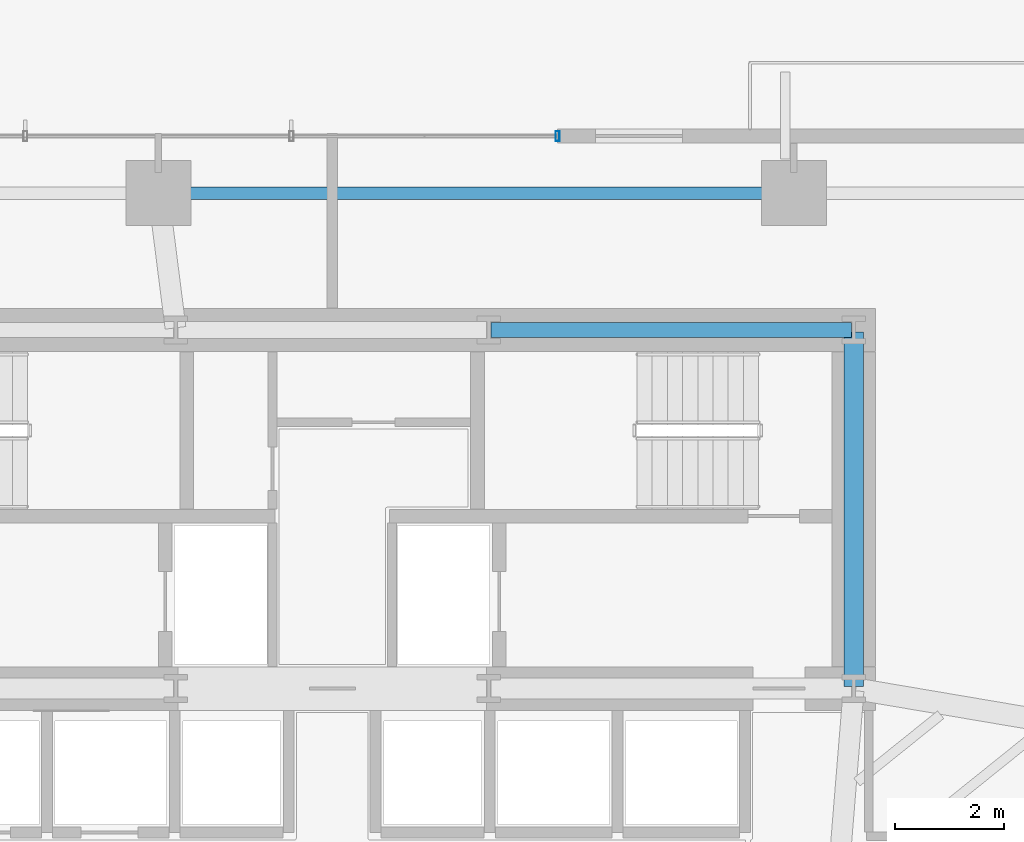
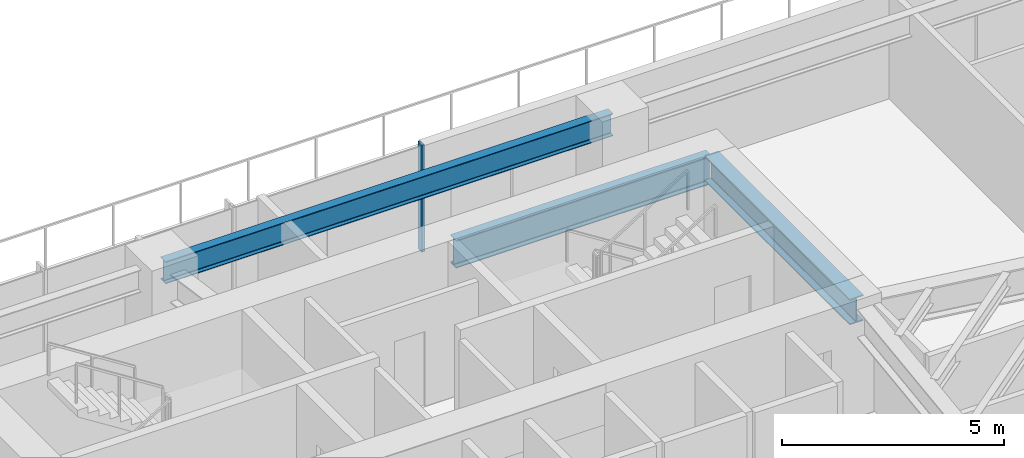
# One storey, part 15 of 26: 3 beams, 1 member, 1 element without a shape of its own.
"""IFC4 building model written with IfcOpenShell, lengths in metres."""

from ifc_helpers import new_model, si_unit, direction, frame, origin, origin_2d, place, context, subcontext, project, spatial, hollow_rectangle, i_section, extrude, source, transform, mapped, material, material_profile, profile_set, type_object, type_shapes, element, aggregate, save


model = new_model("IFC4")

# Units and contexts
model_context = context("Model", 3, precision=1e-05, world=origin(), true_north=direction((0.0, 1.0)))
body_context = subcontext(model_context, "Body", "Model", "MODEL_VIEW")
ifc_project = project(units=[si_unit("LENGTHUNIT", "METRE"), si_unit("AREAUNIT", "SQUARE_METRE"), si_unit("VOLUMEUNIT", "CUBIC_METRE"), si_unit("PLANEANGLEUNIT", "RADIAN"), si_unit("MASSUNIT", "GRAM", prefix="KILO")], contexts=[model_context])

# Site, building, storey
site_placement = place(None, origin())
site = spatial("IfcSite", under=ifc_project, at=site_placement, CompositionType="ELEMENT")
building_placement = place(site_placement, origin())
building = spatial("IfcBuilding", under=site, at=building_placement, Name="Astriad Promenade Condominiums", CompositionType="ELEMENT")
storey_placement = place(building_placement, frame((0.0, 0.0, 23.0)))
storey = spatial("IfcBuildingStorey", under=building, at=storey_placement, Name="L05", CompositionType="ELEMENT", Elevation=23.0)

# Beams
ifc_material_1 = material(Name="Steel ASTM A992 Grade 50", Category="steel")
ifc_material_profile_1 = material_profile(ifc_material_1, i_section(OverallWidth=0.267822265625, OverallDepth=0.76953125, WebThickness=0.015625, FlangeThickness=0.025390625, FilletRadius=0.021484375, at=origin_2d()), Name="W30X132")
ifc_profile_set_1 = profile_set([ifc_material_profile_1], Name="Steel ASTM A992 Grade 50")
beam_type_1 = type_object("IfcBeamType", Name="STEEL FLOOR GIRDER W30X132", PredefinedType="BEAM", material=ifc_profile_set_1)
shared_shape_1 = source(origin(), body_context, "Body", "SweptSolid", [
    extrude(i_section(OverallWidth=0.267822265625, OverallDepth=0.76953125, WebThickness=0.015625, FlangeThickness=0.025390625, FilletRadius=0.021484375, at=origin_2d()), origin(), (0.0, 0.0, 1.0), 6.64013671875),
])
type_shapes(beam_type_1, [shared_shape_1])
beam_1_placement = place(storey_placement, frame((38.919921875, 24.0, 2.55517578125), z_axis=(1.0, 0.0, 0.0), x_axis=(0.0, 1.0, 0.0)))
element("IfcBeam", 1, at=beam_1_placement, inside=storey, type_object=beam_type_1, Name="Core Ring Beam CG-N3-L05", PredefinedType="BEAM", context=body_context, shape_type="MappedRepresentation", body=[
    mapped(shared_shape_1, transform((0.0, 0.0, 0.0), scale=1.0)),
])
ifc_material_profile_2 = material_profile(ifc_material_1, i_section(OverallWidth=0.35791015625, OverallDepth=0.706298828125, WebThickness=0.018310546875, FlangeThickness=0.0302734375, FilletRadius=0.020263671875, at=origin_2d()), Name="W27X178")
ifc_profile_set_2 = profile_set([ifc_material_profile_2], Name="Steel ASTM A992 Grade 50")
beam_type_2 = type_object("IfcBeamType", Name="STEEL FLOOR GIRDER W27X178", PredefinedType="BEAM", material=ifc_profile_set_2)
shared_shape_2 = source(origin(), body_context, "Body", "SweptSolid", [
    extrude(i_section(OverallWidth=0.35791015625, OverallDepth=0.706298828125, WebThickness=0.018310546875, FlangeThickness=0.0302734375, FilletRadius=0.020263671875, at=origin_2d()), origin(), (0.0, 0.0, 1.0), 6.52001953125),
])
type_shapes(beam_type_2, [shared_shape_2])
beam_2_placement = place(storey_placement, frame((45.60009765625, 17.43994140625, 2.5869140625), z_axis=(0.0, 1.0, 0.0), x_axis=(-1.0, 0.0, 0.0)))
element("IfcBeam", 2, at=beam_2_placement, inside=storey, type_object=beam_type_2, Name="Core Ring Beam CG-E1-L05", PredefinedType="BEAM", context=body_context, shape_type="MappedRepresentation", body=[
    mapped(shared_shape_2, transform((0.0, 0.0, 0.0), scale=1.0)),
])
ifc_material_profile_3 = material_profile(ifc_material_1, i_section(OverallWidth=0.22900390625, OverallDepth=0.612060546875, WebThickness=0.011962890625, FlangeThickness=0.01953125, FilletRadius=0.017822265625, at=origin_2d()), Name="W24X84")
ifc_profile_set_3 = profile_set([ifc_material_profile_3], Name="Steel ASTM A992 Grade 50")
beam_type_3 = type_object("IfcBeamType", Name="STEEL SPANDREL BEAM W24X84", PredefinedType="SPANDREL", material=ifc_profile_set_3)
shared_shape_3 = source(origin(), body_context, "Body", "SweptSolid", [
    extrude(i_section(OverallWidth=0.22900390625, OverallDepth=0.612060546875, WebThickness=0.011962890625, FlangeThickness=0.01953125, FilletRadius=0.017822265625, at=origin_2d()), origin(), (0.0, 0.0, 1.0), 11.619873046875),
])
type_shapes(beam_type_3, [shared_shape_3])
beam_3_placement = place(storey_placement, frame((44.4599609375, 26.52001953125, 2.634033203125), z_axis=(-1.0, 0.0, 0.0), x_axis=(0.0, -1.0, 0.0)))
element("IfcBeam", 3, at=beam_3_placement, inside=storey, type_object=beam_type_3, Name="Perimeter Spandrel Beam SP-N3-L05", PredefinedType="SPANDREL", context=body_context, shape_type="MappedRepresentation", body=[
    mapped(shared_shape_3, transform((0.0, 0.0, 0.0), scale=1.0)),
])

# Curtain wall, member
ifc_material_2 = material(Name="Anodised aluminium Black Dark Glass Unitised", Category="aluminium")
curtain_wall_type = type_object("IfcCurtainWallType", Name="CW-B1-DARK", PredefinedType="USERDEFINED", material=ifc_material_2)
curtain_wall_placement = place(storey_placement, origin())
curtain_wall = element("IfcCurtainWall", 4, at=curtain_wall_placement, inside=storey, type_object=curtain_wall_type, Name="CW-L05-N", ObjectType="UNITISED_CURTAIN_WALL", PredefinedType="USERDEFINED")
ifc_material_3 = material(Name="Anodised aluminium 6063-T6 Black", Category="aluminium")
ifc_material_profile_4 = material_profile(ifc_material_3, hollow_rectangle(XDim=0.074951171875, YDim=0.18505859375, WallThickness=0.00439453125, at=origin_2d()), Name="ALU-MUL-75X185")
ifc_profile_set_4 = profile_set([ifc_material_profile_4], Name="Anodised aluminium 6063-T6 Black")
member_type = type_object("IfcMemberType", Name="MUL-ALU-MUL-75X185", PredefinedType="MULLION", material=ifc_profile_set_4)
shared_shape_4 = source(origin(), body_context, "Body", "SweptSolid", [
    extrude(hollow_rectangle(XDim=0.074951171875, YDim=0.18505859375, WallThickness=0.00439453125, at=origin_2d()), origin(), (0.0, 0.0, 1.0), 2.93994140625),
])
type_shapes(member_type, [shared_shape_4])
member_placement = place(storey_placement, frame((40.14990234375, 27.570068359375, 0.0), z_axis=(0.0, 0.0, 1.0), x_axis=(1.0, 0.0, 0.0)))
member = element("IfcMember", 5, at=member_placement, type_object=member_type, Name="CW-L05-N-MUL-03", PredefinedType="MULLION", context=body_context, shape_type="MappedRepresentation", body=[
    mapped(shared_shape_4, transform((0.0, 0.0, 0.0), scale=1.0)),
])
aggregate(curtain_wall, [member])

save(model, "model.ifc")
